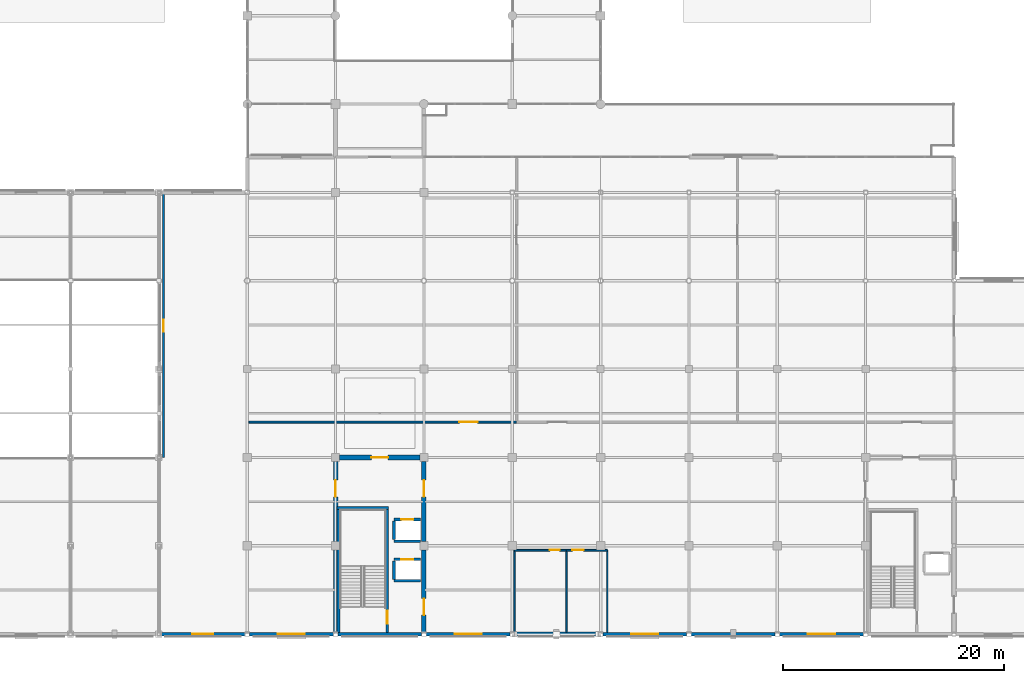
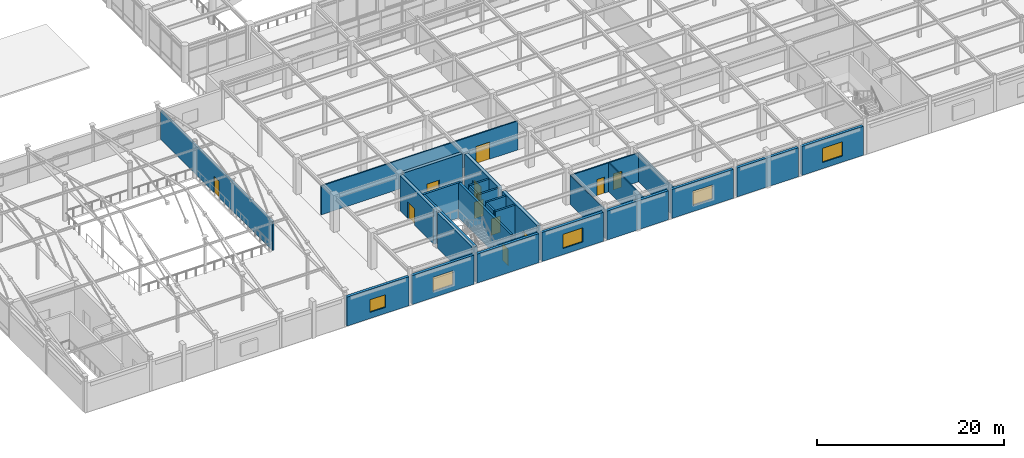
# One storey, part 91 of 117: 29 walls, 11 doors, 5 windows, 16 openings.
"""IFC4 building model written with IfcOpenShell, lengths in metres."""

from ifc_helpers import new_model, si_unit, direction, frame, frame_2d, origin, place, context, subcontext, project, spatial, rectangle, extrude, material, layer, layer_set, type_object, element, fill, save


model = new_model("IFC4")

# Units and contexts
model_context = context("Model", 3, precision=1e-05, world=origin(), true_north=direction((0.0, 1.0)))
body_context = subcontext(model_context, "Body", "Model", "MODEL_VIEW")
ifc_project = project(units=[si_unit("LENGTHUNIT", "METRE"), si_unit("AREAUNIT", "SQUARE_METRE"), si_unit("VOLUMEUNIT", "CUBIC_METRE"), si_unit("PLANEANGLEUNIT", "RADIAN"), si_unit("MASSUNIT", "GRAM", prefix="KILO")], contexts=[model_context])

# Site, building, storey
site_placement = place(None, origin())
site = spatial("IfcSite", under=ifc_project, at=site_placement, CompositionType="ELEMENT")
building_placement = place(site_placement, origin())
building = spatial("IfcBuilding", under=site, at=building_placement, Name="Solmirada Galleria", CompositionType="ELEMENT")
storey_placement = place(building_placement, frame((0.0, 0.0, 5.60009765625)))
storey = spatial("IfcBuildingStorey", under=building, at=storey_placement, Name="L01", CompositionType="ELEMENT", Elevation=5.60009765625)

# Wall, opening, door
ifc_material_1 = material(Name="Concrete C40/50", Category="concrete")
ifc_layer_1 = layer(ifc_material_1, 0.419921875)
ifc_layer_set_1 = layer_set([ifc_layer_1], Name="Concrete C40/50")
wall_type_1 = type_object("IfcWallType", Name="WL-CORE-420", PredefinedType="SHEAR", material=ifc_layer_set_1)
wall_1_placement = place(storey_placement, frame((88.375, 16.0, 0.0), z_axis=(0.0, 0.0, 1.0), x_axis=(1.0, 0.0, 0.0)))
wall_1 = element("IfcWall", 1, at=wall_1_placement, inside=storey, type_object=wall_type_1, Name="Core C2 shear wall L01 N1", PredefinedType="SHEAR", context=body_context, shape_type="SweptSolid", body=[
    extrude(rectangle(XDim=7.25, YDim=0.419921875, at=frame_2d((3.625, 0.0))), origin(), (0.0, 0.0, 1.0), 4.579833984375),
])
opening_1_placement = place(wall_1_placement, frame((2.875, 0.0, 0.0)))
opening_1 = element("IfcOpeningElement", 2, at=opening_1_placement, cuts=wall_1, Name="Opening LDY-140", PredefinedType="OPENING", context=body_context, shape_type="SweptSolid", body=[
    extrude(rectangle(XDim=1.5, YDim=2.14990234375, at=frame_2d((0.75, 1.074951171875))), frame((0.0, 0.219970703125, 0.0), z_axis=(0.0, -1.0, 0.0), x_axis=(1.0, 0.0, 0.0)), (0.0, 0.0, 1.0), 0.43994140625),
])
ifc_material_2 = material(Name="Fire-rated painted steel door assembly", Category="steel")
door_type_1 = type_object("IfcDoorType", Name="DR-LOBBY-150X215", OperationType="DOUBLE_DOOR_SINGLE_SWING", PredefinedType="DOOR", material=ifc_material_2)
door_1_placement = place(opening_1_placement, origin())
door_1 = element("IfcDoor", 3, at=door_1_placement, inside=storey, type_object=door_type_1, Name="Core C2 lobby access fire door LDY-140", OperationType="DOUBLE_DOOR_SINGLE_SWING", OverallHeight=2.14990234375, OverallWidth=1.5, PredefinedType="DOOR", context=body_context, shape_type="SweptSolid", body=[
    extrude(rectangle(XDim=1.5, YDim=2.14990234375, at=frame_2d((0.75, 1.074951171875))), frame((0.0, 0.02490234375, 0.0), z_axis=(0.0, -1.0, 0.0), x_axis=(1.0, 0.0, 0.0)), (0.0, 0.0, 1.0), 0.050048828125),
])
fill(opening_1, door_1)

# Wall
wall_2_placement = place(storey_placement, frame((88.0, 0.202880859375, 0.0), z_axis=(0.0, 0.0, 1.0), x_axis=(0.0, 1.0, 0.0)))
element("IfcWall", 4, at=wall_2_placement, inside=storey, type_object=wall_type_1, Name="Core C2 shear wall L01 W1", PredefinedType="SHEAR", context=body_context, shape_type="SweptSolid", body=[
    extrude(rectangle(XDim=7.422119140625, YDim=0.419921875, at=frame_2d((3.7109375, 0.0))), origin(), (0.0, 0.0, 1.0), 4.579833984375),
])

# Wall, opening, door
wall_3_placement = place(storey_placement, frame((88.0, 8.375, 0.0), z_axis=(0.0, 0.0, 1.0), x_axis=(0.0, 1.0, 0.0)))
wall_3 = element("IfcWall", 5, at=wall_3_placement, inside=storey, type_object=wall_type_1, Name="Core C2 shear wall L01 W2", PredefinedType="SHEAR", context=body_context, shape_type="SweptSolid", body=[
    extrude(rectangle(XDim=7.25, YDim=0.419921875, at=frame_2d((3.625, 0.0))), origin(), (0.0, 0.0, 1.0), 4.579833984375),
])
opening_2_placement = place(wall_3_placement, frame((4.06201171875, 0.0, 0.0)))
opening_2 = element("IfcOpeningElement", 6, at=opening_2_placement, cuts=wall_3, Name="Opening LDY-141", PredefinedType="OPENING", context=body_context, shape_type="SweptSolid", body=[
    extrude(rectangle(XDim=1.5, YDim=2.14990234375, at=frame_2d((0.75, 1.074951171875))), frame((0.0, 0.219970703125, 0.0), z_axis=(0.0, -1.0, 0.0), x_axis=(1.0, 0.0, 0.0)), (0.0, 0.0, 1.0), 0.43994140625),
])
door_2_placement = place(opening_2_placement, origin())
door_2 = element("IfcDoor", 7, at=door_2_placement, inside=storey, type_object=door_type_1, Name="Core C2 lobby access fire door LDY-141", OperationType="DOUBLE_DOOR_SINGLE_SWING", OverallHeight=2.14990234375, OverallWidth=1.5, PredefinedType="DOOR", context=body_context, shape_type="SweptSolid", body=[
    extrude(rectangle(XDim=1.5, YDim=2.14990234375, at=frame_2d((0.75, 1.074951171875))), frame((0.0, 0.02490234375, 0.0), z_axis=(0.0, -1.0, 0.0), x_axis=(1.0, 0.0, 0.0)), (0.0, 0.0, 1.0), 0.050048828125),
])
fill(opening_2, door_2)

wall_4_placement = place(storey_placement, frame((96.0, 0.202880859375, 0.0), z_axis=(0.0, 0.0, 1.0), x_axis=(0.0, 1.0, 0.0)))
wall_4 = element("IfcWall", 8, at=wall_4_placement, inside=storey, type_object=wall_type_1, Name="Core C2 shear wall L01 E1", PredefinedType="SHEAR", context=body_context, shape_type="SweptSolid", body=[
    extrude(rectangle(XDim=7.422119140625, YDim=0.419921875, at=frame_2d((3.7109375, 0.0))), origin(), (0.0, 0.0, 1.0), 4.579833984375),
])
opening_3_placement = place(wall_4_placement, frame((1.52294921875, 0.0, 0.0)))
opening_3 = element("IfcOpeningElement", 9, at=opening_3_placement, cuts=wall_4, Name="Opening LDY-142", PredefinedType="OPENING", context=body_context, shape_type="SweptSolid", body=[
    extrude(rectangle(XDim=1.5, YDim=2.14990234375, at=frame_2d((0.75, 1.074951171875))), frame((0.0, 0.219970703125, 0.0), z_axis=(0.0, -1.0, 0.0), x_axis=(1.0, 0.0, 0.0)), (0.0, 0.0, 1.0), 0.43994140625),
])
door_3_placement = place(opening_3_placement, origin())
door_3 = element("IfcDoor", 10, at=door_3_placement, inside=storey, type_object=door_type_1, Name="Core C2 lobby access fire door LDY-142", OperationType="DOUBLE_DOOR_SINGLE_SWING", OverallHeight=2.14990234375, OverallWidth=1.5, PredefinedType="DOOR", context=body_context, shape_type="SweptSolid", body=[
    extrude(rectangle(XDim=1.5, YDim=2.14990234375, at=frame_2d((0.75, 1.074951171875))), frame((0.0, 0.02490234375, 0.0), z_axis=(0.0, -1.0, 0.0), x_axis=(1.0, 0.0, 0.0)), (0.0, 0.0, 1.0), 0.050048828125),
])
fill(opening_3, door_3)

wall_5_placement = place(storey_placement, frame((96.0, 8.375, 0.0), z_axis=(0.0, 0.0, 1.0), x_axis=(0.0, 1.0, 0.0)))
wall_5 = element("IfcWall", 11, at=wall_5_placement, inside=storey, type_object=wall_type_1, Name="Core C2 shear wall L01 E2", PredefinedType="SHEAR", context=body_context, shape_type="SweptSolid", body=[
    extrude(rectangle(XDim=7.25, YDim=0.419921875, at=frame_2d((3.625, 0.0))), origin(), (0.0, 0.0, 1.0), 4.579833984375),
])
opening_4_placement = place(wall_5_placement, frame((4.06201171875, 0.0, 0.0)))
opening_4 = element("IfcOpeningElement", 12, at=opening_4_placement, cuts=wall_5, Name="Opening LDY-143", PredefinedType="OPENING", context=body_context, shape_type="SweptSolid", body=[
    extrude(rectangle(XDim=1.5, YDim=2.14990234375, at=frame_2d((0.75, 1.074951171875))), frame((0.0, 0.219970703125, 0.0), z_axis=(0.0, -1.0, 0.0), x_axis=(1.0, 0.0, 0.0)), (0.0, 0.0, 1.0), 0.43994140625),
])
door_4_placement = place(opening_4_placement, origin())
door_4 = element("IfcDoor", 13, at=door_4_placement, inside=storey, type_object=door_type_1, Name="Core C2 lobby access fire door LDY-143", OperationType="DOUBLE_DOOR_SINGLE_SWING", OverallHeight=2.14990234375, OverallWidth=1.5, PredefinedType="DOOR", context=body_context, shape_type="SweptSolid", body=[
    extrude(rectangle(XDim=1.5, YDim=2.14990234375, at=frame_2d((0.75, 1.074951171875))), frame((0.0, 0.02490234375, 0.0), z_axis=(0.0, -1.0, 0.0), x_axis=(1.0, 0.0, 0.0)), (0.0, 0.0, 1.0), 0.050048828125),
])
fill(opening_4, door_4)

# Wall, opening, window
ifc_material_3 = material(Name="Precast concrete C40/50", Category="concrete")
ifc_layer_2 = layer(ifc_material_3, 0.340087890625)
ifc_layer_set_2 = layer_set([ifc_layer_2], Name="Precast concrete C40/50")
wall_type_2 = type_object("IfcWallType", Name="WL-EXT-340", PredefinedType="STANDARD", material=ifc_layer_set_2)
wall_6_placement = place(storey_placement, frame((135.797119140625, 0.0, 0.0), z_axis=(0.0, 0.0, 1.0), x_axis=(-1.0, 0.0, 0.0)))
wall_6 = element("IfcWall", 14, at=wall_6_placement, inside=storey, type_object=wall_type_2, Name="Exterior wall L01 bay 086", PredefinedType="STANDARD", context=body_context, shape_type="SweptSolid", body=[
    extrude(rectangle(XDim=7.59423828125, YDim=0.340087890625, at=frame_2d((3.797119140625, 0.0))), origin(), (0.0, 0.0, 1.0), 3.77978515625),
])
opening_5_placement = place(wall_6_placement, frame((2.572021484375, 0.0, 0.800048828125)))
opening_5 = element("IfcOpeningElement", 15, at=opening_5_placement, cuts=wall_6, Name="Opening WN8", PredefinedType="OPENING", context=body_context, shape_type="SweptSolid", body=[
    extrude(rectangle(XDim=2.449951171875, YDim=1.85009765625, at=frame_2d((1.22509765625, 0.925048828125))), frame((0.0, 0.179931640625, 0.0), z_axis=(0.0, -1.0, 0.0), x_axis=(1.0, 0.0, 0.0)), (0.0, 0.0, 1.0), 0.360107421875),
])
ifc_material_4 = material(Name="Impact-resistant low-E double glazing", Category="glass")
window_type_1 = type_object("IfcWindowType", Name="WIN-LOG-245X185", PartitioningType="DOUBLE_PANEL_VERTICAL", PredefinedType="WINDOW", material=ifc_material_4)
window_1_placement = place(opening_5_placement, origin())
window_1 = element("IfcWindow", 16, at=window_1_placement, inside=storey, type_object=window_type_1, Name="Window L01-023", OverallHeight=1.85009765625, OverallWidth=2.449951171875, PartitioningType="DOUBLE_PANEL_VERTICAL", PredefinedType="WINDOW", context=body_context, shape_type="SweptSolid", body=[
    extrude(rectangle(XDim=2.449951171875, YDim=1.85009765625, at=frame_2d((1.22509765625, 0.925048828125))), frame((0.0, 0.030029296875, 0.0), z_axis=(0.0, -1.0, 0.0), x_axis=(1.0, 0.0, 0.0)), (0.0, 0.0, 1.0), 0.06005859375),
])
fill(opening_5, window_1)

# Wall
wall_7_placement = place(storey_placement, frame((127.797119140625, 0.0, 0.0), z_axis=(0.0, 0.0, 1.0), x_axis=(-1.0, 0.0, 0.0)))
element("IfcWall", 17, at=wall_7_placement, inside=storey, type_object=wall_type_2, Name="Exterior wall L01 bay 087", PredefinedType="STANDARD", context=body_context, shape_type="SweptSolid", body=[
    extrude(rectangle(XDim=7.59423828125, YDim=0.340087890625, at=frame_2d((3.797119140625, 0.0))), origin(), (0.0, 0.0, 1.0), 3.77978515625),
])

# Wall, opening, window
wall_8_placement = place(storey_placement, frame((119.797119140625, 0.0, 0.0), z_axis=(0.0, 0.0, 1.0), x_axis=(-1.0, 0.0, 0.0)))
wall_8 = element("IfcWall", 18, at=wall_8_placement, inside=storey, type_object=wall_type_2, Name="Exterior wall L01 bay 088", PredefinedType="STANDARD", context=body_context, shape_type="SweptSolid", body=[
    extrude(rectangle(XDim=7.59423828125, YDim=0.340087890625, at=frame_2d((3.797119140625, 0.0))), origin(), (0.0, 0.0, 1.0), 3.77978515625),
])
opening_6_placement = place(wall_8_placement, frame((2.572021484375, 0.0, 0.800048828125)))
opening_6 = element("IfcOpeningElement", 19, at=opening_6_placement, cuts=wall_8, Name="Opening WN8", PredefinedType="OPENING", context=body_context, shape_type="SweptSolid", body=[
    extrude(rectangle(XDim=2.449951171875, YDim=1.85009765625, at=frame_2d((1.22509765625, 0.925048828125))), frame((0.0, 0.179931640625, 0.0), z_axis=(0.0, -1.0, 0.0), x_axis=(1.0, 0.0, 0.0)), (0.0, 0.0, 1.0), 0.360107421875),
])
window_2_placement = place(opening_6_placement, origin())
window_2 = element("IfcWindow", 20, at=window_2_placement, inside=storey, type_object=window_type_1, Name="Window L01-024", OverallHeight=1.85009765625, OverallWidth=2.449951171875, PartitioningType="DOUBLE_PANEL_VERTICAL", PredefinedType="WINDOW", context=body_context, shape_type="SweptSolid", body=[
    extrude(rectangle(XDim=2.449951171875, YDim=1.85009765625, at=frame_2d((1.22509765625, 0.925048828125))), frame((0.0, 0.030029296875, 0.0), z_axis=(0.0, -1.0, 0.0), x_axis=(1.0, 0.0, 0.0)), (0.0, 0.0, 1.0), 0.06005859375),
])
fill(opening_6, window_2)

wall_9_placement = place(storey_placement, frame((103.797119140625, 0.0, 0.0), z_axis=(0.0, 0.0, 1.0), x_axis=(-1.0, 0.0, 0.0)))
wall_9 = element("IfcWall", 21, at=wall_9_placement, inside=storey, type_object=wall_type_2, Name="Exterior wall L01 bay 090", PredefinedType="STANDARD", context=body_context, shape_type="SweptSolid", body=[
    extrude(rectangle(XDim=7.59423828125, YDim=0.340087890625, at=frame_2d((3.797119140625, 0.0))), origin(), (0.0, 0.0, 1.0), 3.77978515625),
])
opening_7_placement = place(wall_9_placement, frame((2.572021484375, 0.0, 0.800048828125)))
opening_7 = element("IfcOpeningElement", 22, at=opening_7_placement, cuts=wall_9, Name="Opening WN8", PredefinedType="OPENING", context=body_context, shape_type="SweptSolid", body=[
    extrude(rectangle(XDim=2.449951171875, YDim=1.85009765625, at=frame_2d((1.22509765625, 0.925048828125))), frame((0.0, 0.179931640625, 0.0), z_axis=(0.0, -1.0, 0.0), x_axis=(1.0, 0.0, 0.0)), (0.0, 0.0, 1.0), 0.360107421875),
])
window_3_placement = place(opening_7_placement, origin())
window_3 = element("IfcWindow", 23, at=window_3_placement, inside=storey, type_object=window_type_1, Name="Window L01-025", OverallHeight=1.85009765625, OverallWidth=2.449951171875, PartitioningType="DOUBLE_PANEL_VERTICAL", PredefinedType="WINDOW", context=body_context, shape_type="SweptSolid", body=[
    extrude(rectangle(XDim=2.449951171875, YDim=1.85009765625, at=frame_2d((1.22509765625, 0.925048828125))), frame((0.0, 0.030029296875, 0.0), z_axis=(0.0, -1.0, 0.0), x_axis=(1.0, 0.0, 0.0)), (0.0, 0.0, 1.0), 0.06005859375),
])
fill(opening_7, window_3)

# Wall
wall_10_placement = place(storey_placement, frame((95.797119140625, 0.0, 0.0), z_axis=(0.0, 0.0, 1.0), x_axis=(-1.0, 0.0, 0.0)))
element("IfcWall", 24, at=wall_10_placement, inside=storey, type_object=wall_type_2, Name="Exterior wall L01 bay 091", PredefinedType="STANDARD", context=body_context, shape_type="SweptSolid", body=[
    extrude(rectangle(XDim=7.59423828125, YDim=0.340087890625, at=frame_2d((3.797119140625, 0.0))), origin(), (0.0, 0.0, 1.0), 3.77978515625),
])

# Wall, opening, window
wall_11_placement = place(storey_placement, frame((87.797119140625, 0.0, 0.0), z_axis=(0.0, 0.0, 1.0), x_axis=(-1.0, 0.0, 0.0)))
wall_11 = element("IfcWall", 25, at=wall_11_placement, inside=storey, type_object=wall_type_2, Name="Exterior wall L01 bay 092", PredefinedType="STANDARD", context=body_context, shape_type="SweptSolid", body=[
    extrude(rectangle(XDim=7.59423828125, YDim=0.340087890625, at=frame_2d((3.797119140625, 0.0))), origin(), (0.0, 0.0, 1.0), 3.77978515625),
])
opening_8_placement = place(wall_11_placement, frame((2.572021484375, 0.0, 0.800048828125)))
opening_8 = element("IfcOpeningElement", 26, at=opening_8_placement, cuts=wall_11, Name="Opening WN8", PredefinedType="OPENING", context=body_context, shape_type="SweptSolid", body=[
    extrude(rectangle(XDim=2.449951171875, YDim=1.85009765625, at=frame_2d((1.22509765625, 0.925048828125))), frame((0.0, 0.179931640625, 0.0), z_axis=(0.0, -1.0, 0.0), x_axis=(1.0, 0.0, 0.0)), (0.0, 0.0, 1.0), 0.360107421875),
])
window_4_placement = place(opening_8_placement, origin())
window_4 = element("IfcWindow", 27, at=window_4_placement, inside=storey, type_object=window_type_1, Name="Window L01-026", OverallHeight=1.85009765625, OverallWidth=2.449951171875, PartitioningType="DOUBLE_PANEL_VERTICAL", PredefinedType="WINDOW", context=body_context, shape_type="SweptSolid", body=[
    extrude(rectangle(XDim=2.449951171875, YDim=1.85009765625, at=frame_2d((1.22509765625, 0.925048828125))), frame((0.0, 0.030029296875, 0.0), z_axis=(0.0, -1.0, 0.0), x_axis=(1.0, 0.0, 0.0)), (0.0, 0.0, 1.0), 0.06005859375),
])
fill(opening_8, window_4)

wall_12_placement = place(storey_placement, frame((79.797119140625, 0.0, 0.0), z_axis=(0.0, 0.0, 1.0), x_axis=(-1.0, 0.0, 0.0)))
wall_12 = element("IfcWall", 28, at=wall_12_placement, inside=storey, type_object=wall_type_2, Name="Exterior wall L01 bay 093", PredefinedType="STANDARD", context=body_context, shape_type="SweptSolid", body=[
    extrude(rectangle(XDim=7.64453125, YDim=0.340087890625, at=frame_2d((3.822265625, 0.0))), origin(), (0.0, 0.0, 1.0), 3.77978515625),
])
opening_9_placement = place(wall_12_placement, frame((2.8720703125, 0.0, 0.800048828125)))
opening_9 = element("IfcOpeningElement", 29, at=opening_9_placement, cuts=wall_12, Name="Opening WN18", PredefinedType="OPENING", context=body_context, shape_type="SweptSolid", body=[
    extrude(rectangle(XDim=1.89990234375, YDim=1.64990234375, at=frame_2d((0.949951171875, 0.824951171875))), frame((0.0, 0.179931640625, 0.0), z_axis=(0.0, -1.0, 0.0), x_axis=(1.0, 0.0, 0.0)), (0.0, 0.0, 1.0), 0.360107421875),
])
window_type_2 = type_object("IfcWindowType", Name="WIN-FH-190X165", PartitioningType="DOUBLE_PANEL_VERTICAL", PredefinedType="WINDOW", material=ifc_material_4)
window_5_placement = place(opening_9_placement, origin())
window_5 = element("IfcWindow", 30, at=window_5_placement, inside=storey, type_object=window_type_2, Name="Window L01-027", OverallHeight=1.64990234375, OverallWidth=1.89990234375, PartitioningType="DOUBLE_PANEL_VERTICAL", PredefinedType="WINDOW", context=body_context, shape_type="SweptSolid", body=[
    extrude(rectangle(XDim=1.89990234375, YDim=1.64990234375, at=frame_2d((0.949951171875, 0.824951171875))), frame((0.0, 0.030029296875, 0.0), z_axis=(0.0, -1.0, 0.0), x_axis=(1.0, 0.0, 0.0)), (0.0, 0.0, 1.0), 0.06005859375),
])
fill(opening_9, window_5)

# Wall, opening, door
ifc_layer_3 = layer(ifc_material_1, 0.239990234375)
ifc_layer_set_3 = layer_set([ifc_layer_3], Name="Concrete C40/50")
wall_type_3 = type_object("IfcWallType", Name="WL-HOIST-240", PredefinedType="PARTITIONING", material=ifc_layer_set_3)
wall_13_placement = place(storey_placement, frame((93.294921875, 6.780029296875, 0.0), z_axis=(0.0, 0.0, 1.0), x_axis=(1.0, 0.0, 0.0)))
wall_13 = element("IfcWall", 31, at=wall_13_placement, inside=storey, type_object=wall_type_3, Name="Lift LP3 hoistway front wall L01", PredefinedType="PARTITIONING", context=body_context, shape_type="SweptSolid", body=[
    extrude(rectangle(XDim=2.41015625, YDim=0.239990234375, at=frame_2d((1.205078125, 0.0))), origin(), (0.0, 0.0, 1.0), 4.579833984375),
])
opening_10_placement = place(wall_13_placement, frame((0.655029296875, 0.0, 0.0)))
opening_10 = element("IfcOpeningElement", 32, at=opening_10_placement, cuts=wall_13, Name="Opening LD-LP3-L01", PredefinedType="OPENING", context=body_context, shape_type="SweptSolid", body=[
    extrude(rectangle(XDim=1.10009765625, YDim=2.14990234375, at=frame_2d((0.550048828125, 1.074951171875))), frame((0.0, 0.1298828125, 0.0), z_axis=(0.0, -1.0, 0.0), x_axis=(1.0, 0.0, 0.0)), (0.0, 0.0, 1.0), 0.260009765625),
])
ifc_material_5 = material(Name="Brushed stainless-steel sliding landing door", Category="steel")
door_type_2 = type_object("IfcDoorType", Name="DR-LIFT-110X215", OperationType="SLIDING_TO_LEFT", PredefinedType="DOOR", material=ifc_material_5)
door_5_placement = place(opening_10_placement, origin())
door_5 = element("IfcDoor", 33, at=door_5_placement, inside=storey, type_object=door_type_2, Name="Lift LP3 sliding landing door L01", OperationType="SLIDING_TO_LEFT", OverallHeight=2.14990234375, OverallWidth=1.10009765625, PredefinedType="DOOR", context=body_context, shape_type="SweptSolid", body=[
    extrude(rectangle(XDim=1.10009765625, YDim=2.14990234375, at=frame_2d((0.550048828125, 1.074951171875))), frame((0.0, 0.02490234375, 0.0), z_axis=(0.0, -1.0, 0.0), x_axis=(1.0, 0.0, 0.0)), (0.0, 0.0, 1.0), 0.050048828125),
])
fill(opening_10, door_5)

# Walls
wall_14_placement = place(storey_placement, frame((93.294921875, 4.820068359375, 0.0), z_axis=(0.0, 0.0, 1.0), x_axis=(1.0, 0.0, 0.0)))
element("IfcWall", 34, at=wall_14_placement, inside=storey, type_object=wall_type_3, Name="Lift LP3 hoistway rear wall L01", PredefinedType="PARTITIONING", context=body_context, shape_type="SweptSolid", body=[
    extrude(rectangle(XDim=2.41015625, YDim=0.239990234375, at=frame_2d((1.205078125, 0.0))), origin(), (0.0, 0.0, 1.0), 4.579833984375),
])
wall_15_placement = place(storey_placement, frame((93.294921875, 4.9599609375, 0.0), z_axis=(0.0, 0.0, 1.0), x_axis=(0.0, 1.0, 0.0)))
element("IfcWall", 35, at=wall_15_placement, inside=storey, type_object=wall_type_3, Name="Lift LP3 hoistway side wall L L01", PredefinedType="PARTITIONING", context=body_context, shape_type="SweptSolid", body=[
    extrude(rectangle(XDim=1.679931640625, YDim=0.239990234375, at=frame_2d((0.83984375, 0.0))), origin(), (0.0, 0.0, 1.0), 4.579833984375),
])

# Wall, opening, door
wall_16_placement = place(storey_placement, frame((93.294921875, 10.3798828125, 0.0), z_axis=(0.0, 0.0, 1.0), x_axis=(1.0, 0.0, 0.0)))
wall_16 = element("IfcWall", 36, at=wall_16_placement, inside=storey, type_object=wall_type_3, Name="Lift LP4 hoistway front wall L01", PredefinedType="PARTITIONING", context=body_context, shape_type="SweptSolid", body=[
    extrude(rectangle(XDim=2.41015625, YDim=0.239990234375, at=frame_2d((1.205078125, 0.0))), origin(), (0.0, 0.0, 1.0), 4.579833984375),
])
opening_11_placement = place(wall_16_placement, frame((0.655029296875, 0.0, 0.0)))
opening_11 = element("IfcOpeningElement", 37, at=opening_11_placement, cuts=wall_16, Name="Opening LD-LP4-L01", PredefinedType="OPENING", context=body_context, shape_type="SweptSolid", body=[
    extrude(rectangle(XDim=1.10009765625, YDim=2.14990234375, at=frame_2d((0.550048828125, 1.074951171875))), frame((0.0, 0.1298828125, 0.0), z_axis=(0.0, -1.0, 0.0), x_axis=(1.0, 0.0, 0.0)), (0.0, 0.0, 1.0), 0.260009765625),
])
door_6_placement = place(opening_11_placement, origin())
door_6 = element("IfcDoor", 38, at=door_6_placement, inside=storey, type_object=door_type_2, Name="Lift LP4 sliding landing door L01", OperationType="SLIDING_TO_LEFT", OverallHeight=2.14990234375, OverallWidth=1.10009765625, PredefinedType="DOOR", context=body_context, shape_type="SweptSolid", body=[
    extrude(rectangle(XDim=1.10009765625, YDim=2.14990234375, at=frame_2d((0.550048828125, 1.074951171875))), frame((0.0, 0.02490234375, 0.0), z_axis=(0.0, -1.0, 0.0), x_axis=(1.0, 0.0, 0.0)), (0.0, 0.0, 1.0), 0.050048828125),
])
fill(opening_11, door_6)

# Walls
wall_17_placement = place(storey_placement, frame((93.294921875, 8.419921875, 0.0), z_axis=(0.0, 0.0, 1.0), x_axis=(1.0, 0.0, 0.0)))
element("IfcWall", 39, at=wall_17_placement, inside=storey, type_object=wall_type_3, Name="Lift LP4 hoistway rear wall L01", PredefinedType="PARTITIONING", context=body_context, shape_type="SweptSolid", body=[
    extrude(rectangle(XDim=2.41015625, YDim=0.239990234375, at=frame_2d((1.205078125, 0.0))), origin(), (0.0, 0.0, 1.0), 4.579833984375),
])
wall_18_placement = place(storey_placement, frame((93.294921875, 8.56005859375, 0.0), z_axis=(0.0, 0.0, 1.0), x_axis=(0.0, 1.0, 0.0)))
element("IfcWall", 40, at=wall_18_placement, inside=storey, type_object=wall_type_3, Name="Lift LP4 hoistway side wall L L01", PredefinedType="PARTITIONING", context=body_context, shape_type="SweptSolid", body=[
    extrude(rectangle(XDim=1.679931640625, YDim=0.239990234375, at=frame_2d((0.83984375, 0.0))), origin(), (0.0, 0.0, 1.0), 4.579833984375),
])
ifc_material_6 = material(Name="Acoustic gypsum board partition")
ifc_layer_4 = layer(ifc_material_6, 0.135009765625)
ifc_layer_set_4 = layer_set([ifc_layer_4], Name="Acoustic gypsum board partition")
wall_type_4 = type_object("IfcWallType", Name="WL-PART-135", PredefinedType="PARTITIONING", material=ifc_layer_set_4)
for number, where, z_axis, x_axis, name in (
    (41, (104.199951171875, 0.14990234375, 0.0), (0.0, 0.0, 1.0), (0.0, 1.0, 0.0), "Partition L01-051 (South WC West)"),
    (42, (108.89990234375, 0.14990234375, 0.0), (0.0, 0.0, 1.0), (0.0, 1.0, 0.0), "Partition L01-052 (South WC Divider)"),
    (43, (112.60009765625, 0.14990234375, 0.0), (0.0, 0.0, 1.0), (0.0, 1.0, 0.0), "Partition L01-053 (South WC East)"),
):
    element("IfcWall", number, at=place(storey_placement, frame(where, z_axis=z_axis, x_axis=x_axis)), inside=storey, type_object=wall_type_4, Name=name, PredefinedType="PARTITIONING", context=body_context, shape_type="SweptSolid", body=[
        extrude(rectangle(XDim=7.4501953125, YDim=0.135009765625, at=frame_2d((3.72509765625, 0.0))), origin(), (0.0, 0.0, 1.0), 3.77978515625),
    ])

# Wall, opening, door
ifc_layer_5 = layer(ifc_material_6, 0.159912109375)
ifc_layer_set_5 = layer_set([ifc_layer_5], Name="Acoustic gypsum board partition")
wall_type_5 = type_object("IfcWallType", Name="WL-PART-160", PredefinedType="PARTITIONING", material=ifc_layer_set_5)
wall_19_placement = place(storey_placement, frame((104.199951171875, 7.60009765625, 0.0), z_axis=(0.0, 0.0, 1.0), x_axis=(1.0, 0.0, 0.0)))
wall_19 = element("IfcWall", 44, at=wall_19_placement, inside=storey, type_object=wall_type_5, Name="Partition L01-049 (South Restroom)", PredefinedType="PARTITIONING", context=body_context, shape_type="SweptSolid", body=[
    extrude(rectangle(XDim=4.699951171875, YDim=0.159912109375, at=frame_2d((2.35009765625, 0.0))), origin(), (0.0, 0.0, 1.0), 3.77978515625),
])
opening_12_placement = place(wall_19_placement, frame((3.193115234375, 0.0, 0.0)))
opening_12 = element("IfcOpeningElement", 45, at=opening_12_placement, cuts=wall_19, Name="Opening ID-292", PredefinedType="OPENING", context=body_context, shape_type="SweptSolid", body=[
    extrude(rectangle(XDim=0.919921875, YDim=2.10009765625, at=frame_2d((0.4599609375, 1.050048828125))), frame((0.0, 0.08984375, 0.0), z_axis=(0.0, -1.0, 0.0), x_axis=(1.0, 0.0, 0.0)), (0.0, 0.0, 1.0), 0.179931640625),
])
ifc_material_7 = material(Name="Architectural hardwood veneer door", Category="wood")
door_type_3 = type_object("IfcDoorType", Name="DR-WC-092X210", OperationType="NOTDEFINED", PredefinedType="DOOR", material=ifc_material_7)
door_7_placement = place(opening_12_placement, origin())
door_7 = element("IfcDoor", 46, at=door_7_placement, inside=storey, type_object=door_type_3, Name="South Restroom door ID-292", OperationType="SINGLE_SWING_RIGHT", OverallHeight=2.10009765625, OverallWidth=0.919921875, PredefinedType="DOOR", context=body_context, shape_type="SweptSolid", body=[
    extrude(rectangle(XDim=0.919921875, YDim=2.10009765625, at=frame_2d((0.4599609375, 1.050048828125))), frame((0.0, 0.02490234375, 0.0), z_axis=(0.0, -1.0, 0.0), x_axis=(1.0, 0.0, 0.0)), (0.0, 0.0, 1.0), 0.050048828125),
])
fill(opening_12, door_7)

wall_20_placement = place(storey_placement, frame((108.89990234375, 7.60009765625, 0.0), z_axis=(0.0, 0.0, 1.0), x_axis=(1.0, 0.0, 0.0)))
wall_20 = element("IfcWall", 47, at=wall_20_placement, inside=storey, type_object=wall_type_5, Name="Partition L01-050 (South Accessible WC)", PredefinedType="PARTITIONING", context=body_context, shape_type="SweptSolid", body=[
    extrude(rectangle(XDim=3.7001953125, YDim=0.159912109375, at=frame_2d((1.85009765625, 0.0))), origin(), (0.0, 0.0, 1.0), 3.77978515625),
])
opening_13_placement = place(wall_20_placement, frame((0.548095703125, 0.0, 0.0)))
opening_13 = element("IfcOpeningElement", 48, at=opening_13_placement, cuts=wall_20, Name="Opening ID-293", PredefinedType="OPENING", context=body_context, shape_type="SweptSolid", body=[
    extrude(rectangle(XDim=1.02001953125, YDim=2.10009765625, at=frame_2d((0.510009765625, 1.050048828125))), frame((0.0, 0.08984375, 0.0), z_axis=(0.0, -1.0, 0.0), x_axis=(1.0, 0.0, 0.0)), (0.0, 0.0, 1.0), 0.179931640625),
])
door_type_4 = type_object("IfcDoorType", Name="DR-AWC-102X210", OperationType="NOTDEFINED", PredefinedType="DOOR", material=ifc_material_7)
door_8_placement = place(opening_13_placement, origin())
door_8 = element("IfcDoor", 49, at=door_8_placement, inside=storey, type_object=door_type_4, Name="South Accessible WC door ID-293", OperationType="SINGLE_SWING_LEFT", OverallHeight=2.10009765625, OverallWidth=1.02001953125, PredefinedType="DOOR", context=body_context, shape_type="SweptSolid", body=[
    extrude(rectangle(XDim=1.02001953125, YDim=2.10009765625, at=frame_2d((0.510009765625, 1.050048828125))), frame((0.0, 0.02490234375, 0.0), z_axis=(0.0, -1.0, 0.0), x_axis=(1.0, 0.0, 0.0)), (0.0, 0.0, 1.0), 0.050048828125),
])
fill(opening_13, door_8)

wall_21_placement = place(storey_placement, frame((80.14990234375, 19.199951171875, 0.0), z_axis=(0.0, 0.0, 1.0), x_axis=(1.0, 0.0, 0.0)))
wall_21 = element("IfcWall", 50, at=wall_21_placement, inside=storey, type_object=wall_type_5, Name="Partition L01-054 (South Gallery W L01)", PredefinedType="PARTITIONING", context=body_context, shape_type="SweptSolid", body=[
    extrude(rectangle(XDim=24.25, YDim=0.159912109375, at=frame_2d((12.125, 0.0))), origin(), (0.0, 0.0, 1.0), 3.77978515625),
])
opening_14_placement = place(wall_21_placement, frame((19.032958984375, 0.0, 0.0)))
opening_14 = element("IfcOpeningElement", 51, at=opening_14_placement, cuts=wall_21, Name="Opening ID-294", PredefinedType="OPENING", context=body_context, shape_type="SweptSolid", body=[
    extrude(rectangle(XDim=1.699951171875, YDim=2.25, at=frame_2d((0.85009765625, 1.125))), frame((0.0, 0.08984375, 0.0), z_axis=(0.0, -1.0, 0.0), x_axis=(1.0, 0.0, 0.0)), (0.0, 0.0, 1.0), 0.179931640625),
])
door_type_5 = type_object("IfcDoorType", Name="DR-DEPT-170X225", OperationType="DOUBLE_DOOR_SINGLE_SWING", PredefinedType="DOOR", material=ifc_material_7)
door_9_placement = place(opening_14_placement, origin())
door_9 = element("IfcDoor", 52, at=door_9_placement, inside=storey, type_object=door_type_5, Name="South Gallery W L01 door ID-294", OperationType="DOUBLE_DOOR_SINGLE_SWING", OverallHeight=2.25, OverallWidth=1.699951171875, PredefinedType="DOOR", context=body_context, shape_type="SweptSolid", body=[
    extrude(rectangle(XDim=1.699951171875, YDim=2.25, at=frame_2d((0.85009765625, 1.125))), frame((0.0, 0.02490234375, 0.0), z_axis=(0.0, -1.0, 0.0), x_axis=(1.0, 0.0, 0.0)), (0.0, 0.0, 1.0), 0.050048828125),
])
fill(opening_14, door_9)

ifc_material_8 = material(Name="Fire-rated gypsum and steel-stud partition", Category="steel")
ifc_layer_6 = layer(ifc_material_8, 0.18994140625)
ifc_layer_set_6 = layer_set([ifc_layer_6], Name="Fire-rated gypsum and steel-stud partition")
wall_type_6 = type_object("IfcWallType", Name="WL-PART-190", PredefinedType="PARTITIONING", material=ifc_layer_set_6)
wall_22_placement = place(storey_placement, frame((72.39990234375, 16.0, 0.0), z_axis=(0.0, 0.0, 1.0), x_axis=(0.0, 1.0, 0.0)))
wall_22 = element("IfcWall", 53, at=wall_22_placement, inside=storey, type_object=wall_type_6, Name="Partition L01-060 (Pastry Kitchen)", PredefinedType="PARTITIONING", context=body_context, shape_type="SweptSolid", body=[
    extrude(rectangle(XDim=23.85009765625, YDim=0.18994140625, at=frame_2d((11.925048828125, 0.0))), origin(), (0.0, 0.0, 1.0), 3.77978515625),
])
opening_15_placement = place(wall_22_placement, frame((11.39990234375, 0.0, 0.0)))
opening_15 = element("IfcOpeningElement", 54, at=opening_15_placement, cuts=wall_22, Name="Opening ID-300", PredefinedType="OPENING", context=body_context, shape_type="SweptSolid", body=[
    extrude(rectangle(XDim=1.050048828125, YDim=2.14990234375, at=frame_2d((0.52490234375, 1.074951171875))), frame((0.0, 0.10498046875, 0.0), z_axis=(0.0, -1.0, 0.0), x_axis=(1.0, 0.0, 0.0)), (0.0, 0.0, 1.0), 0.2099609375),
])
door_type_6 = type_object("IfcDoorType", Name="DR-FIRE-105X215", OperationType="NOTDEFINED", PredefinedType="DOOR", material=ifc_material_2)
door_10_placement = place(opening_15_placement, origin())
door_10 = element("IfcDoor", 55, at=door_10_placement, inside=storey, type_object=door_type_6, Name="Pastry Kitchen door ID-300", OperationType="SINGLE_SWING_RIGHT", OverallHeight=2.14990234375, OverallWidth=1.050048828125, PredefinedType="DOOR", context=body_context, shape_type="SweptSolid", body=[
    extrude(rectangle(XDim=1.050048828125, YDim=2.14990234375, at=frame_2d((0.52490234375, 1.074951171875))), frame((0.0, 0.02490234375, 0.0), z_axis=(0.0, -1.0, 0.0), x_axis=(1.0, 0.0, 0.0)), (0.0, 0.0, 1.0), 0.050048828125),
])
fill(opening_15, door_10)

# Walls
ifc_layer_7 = layer(ifc_material_1, 0.260009765625)
ifc_layer_set_7 = layer_set([ifc_layer_7], Name="Concrete C40/50")
wall_type_7 = type_object("IfcWallType", Name="WL-SHAFT-260", PredefinedType="SHEAR", material=ifc_layer_set_7)
wall_23_placement = place(storey_placement, frame((88.139892578125, 11.429931640625, 0.0), z_axis=(0.0, 0.0, 1.0), x_axis=(1.0, 0.0, 0.0)))
element("IfcWall", 56, at=wall_23_placement, inside=storey, type_object=wall_type_7, Name="Stair ST2 enclosure wall L01 N", PredefinedType="SHEAR", context=body_context, shape_type="SweptSolid", body=[
    extrude(rectangle(XDim=4.670166015625, YDim=0.260009765625, at=frame_2d((2.3349609375, 0.0))), origin(), (0.0, 0.0, 1.0), 4.579833984375),
])
wall_24_placement = place(storey_placement, frame((88.27001953125, 0.14501953125, 0.0), z_axis=(0.0, 0.0, 1.0), x_axis=(0.0, 1.0, 0.0)))
element("IfcWall", 57, at=wall_24_placement, inside=storey, type_object=wall_type_7, Name="Stair ST2 enclosure wall L01 W", PredefinedType="SHEAR", context=body_context, shape_type="SweptSolid", body=[
    extrude(rectangle(XDim=11.155029296875, YDim=0.260009765625, at=frame_2d((5.57763671875, 0.0))), origin(), (0.0, 0.0, 1.0), 4.579833984375),
])

# Wall, opening, door
wall_25_placement = place(storey_placement, frame((92.679931640625, 0.14501953125, 0.0), z_axis=(0.0, 0.0, 1.0), x_axis=(0.0, 1.0, 0.0)))
wall_25 = element("IfcWall", 58, at=wall_25_placement, inside=storey, type_object=wall_type_7, Name="Stair ST2 enclosure wall L01 E", PredefinedType="SHEAR", context=body_context, shape_type="SweptSolid", body=[
    extrude(rectangle(XDim=11.155029296875, YDim=0.260009765625, at=frame_2d((5.57763671875, 0.0))), origin(), (0.0, 0.0, 1.0), 4.579833984375),
])
opening_16_placement = place(wall_25_placement, frame((0.804931640625, 0.0, 0.0)))
opening_16 = element("IfcOpeningElement", 59, at=opening_16_placement, cuts=wall_25, Name="Opening SD-139", PredefinedType="OPENING", context=body_context, shape_type="SweptSolid", body=[
    extrude(rectangle(XDim=1.14990234375, YDim=2.14990234375, at=frame_2d((0.574951171875, 1.074951171875))), frame((0.0, 0.139892578125, 0.0), z_axis=(0.0, -1.0, 0.0), x_axis=(1.0, 0.0, 0.0)), (0.0, 0.0, 1.0), 0.280029296875),
])
door_type_7 = type_object("IfcDoorType", Name="DR-STAIR-115X215", OperationType="NOTDEFINED", PredefinedType="DOOR", material=ifc_material_2)
door_11_placement = place(opening_16_placement, origin())
door_11 = element("IfcDoor", 60, at=door_11_placement, inside=storey, type_object=door_type_7, Name="Exit stair ST2 enclosure fire door SD-139", OperationType="SINGLE_SWING_LEFT", OverallHeight=2.14990234375, OverallWidth=1.14990234375, PredefinedType="DOOR", context=body_context, shape_type="SweptSolid", body=[
    extrude(rectangle(XDim=1.14990234375, YDim=2.14990234375, at=frame_2d((0.574951171875, 1.074951171875))), frame((0.0, 0.02490234375, 0.0), z_axis=(0.0, -1.0, 0.0), x_axis=(1.0, 0.0, 0.0)), (0.0, 0.0, 1.0), 0.050048828125),
])
fill(opening_16, door_11)

# Wall
ifc_material_9 = material(Name="Architectural concrete masonry C30/37", Category="masonry")
ifc_layer_8 = layer(ifc_material_9, 0.360107421875)
ifc_layer_set_8 = layer_set([ifc_layer_8], Name="Architectural concrete masonry C30/37")
wall_type_8 = type_object("IfcWallType", Name="WL-SOLID-360", PredefinedType="SOLIDWALL", material=ifc_layer_set_8)
wall_26_placement = place(storey_placement, frame((111.797119140625, 0.0, 0.0), z_axis=(0.0, 0.0, 1.0), x_axis=(-1.0, 0.0, 0.0)))
element("IfcWall", 61, at=wall_26_placement, inside=storey, type_object=wall_type_8, Name="Exterior wall L01 bay 089", PredefinedType="SOLIDWALL", context=body_context, shape_type="SweptSolid", body=[
    extrude(rectangle(XDim=7.59423828125, YDim=0.360107421875, at=frame_2d((3.797119140625, 0.0))), origin(), (0.0, 0.0, 1.0), 3.77978515625),
])

save(model, "model.ifc")
